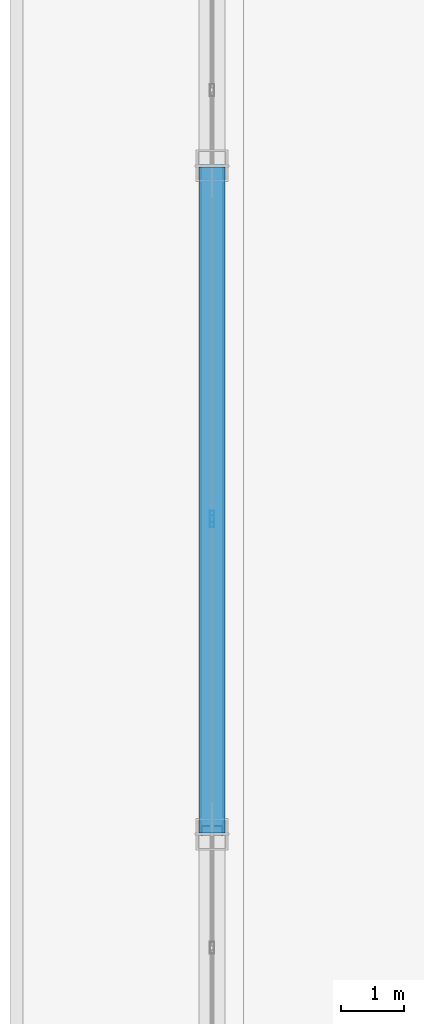
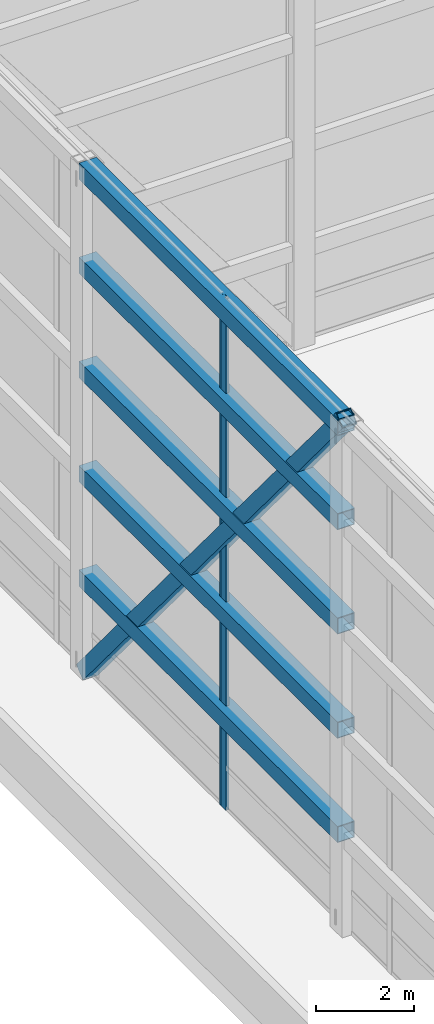
# One storey, part 7 of 23: 5 beams, 3 members, 2 elements without a shape of their own.
"""IFC4 building model written with IfcOpenShell, lengths in metres."""

from ifc_helpers import new_model, si_unit, direction, frame, origin, origin_2d, place, context, subcontext, project, spatial, hollow_rectangle, extrude, source, transform, mapped, material, layer, layer_set, material_profile, profile_set, type_object, type_shapes, element, aggregate, save


model = new_model("IFC4")

# Units and contexts
model_context = context("Model", 3, precision=1e-05, world=origin(), true_north=direction((0.0, 1.0)))
body_context = subcontext(model_context, "Body", "Model", "MODEL_VIEW")
ifc_project = project(units=[si_unit("LENGTHUNIT", "METRE"), si_unit("AREAUNIT", "SQUARE_METRE"), si_unit("VOLUMEUNIT", "CUBIC_METRE"), si_unit("PLANEANGLEUNIT", "RADIAN"), si_unit("MASSUNIT", "GRAM", prefix="KILO")], contexts=[model_context])

# Site, building, storey
site_placement = place(None, origin())
site = spatial("IfcSite", under=ifc_project, at=site_placement, CompositionType="ELEMENT")
building_placement = place(site_placement, origin())
building = spatial("IfcBuilding", under=site, at=building_placement, Name="Varnel Quay Broadcast Tower", CompositionType="ELEMENT")
storey_placement = place(building_placement, frame((0.0, 0.0, 319.800048828125)))
storey = spatial("IfcBuildingStorey", under=building, at=storey_placement, Name="Roof", CompositionType="ELEMENT", Elevation=319.800048828125)

# Beams
ifc_material_1 = material(Name="Structural Steel CSA G40.21 350WT", Category="steel")
ifc_material_profile_1 = material_profile(ifc_material_1, hollow_rectangle(XDim=0.406005859375, YDim=0.406005859375, WallThickness=0.01611328125, at=origin_2d()), Name="HSS406X406X16")
ifc_profile_set_1 = profile_set([ifc_material_profile_1], Name="Structural Steel CSA G40.21 350WT")
beam_type = type_object("IfcBeamType", Name="CrownRingBeam_HSS406", PredefinedType="BEAM", material=ifc_profile_set_1)
shared_shape_1 = source(origin(), body_context, "Body", "SweptSolid", [
    extrude(hollow_rectangle(XDim=0.406005859375, YDim=0.406005859375, WallThickness=0.01611328125, at=origin_2d()), origin(), (0.0, 0.0, 1.0), 10.56005859375),
])
type_shapes(beam_type, [shared_shape_1])
for number, where, z_axis, x_axis, name in (
    (1, (15.199951171875, 35.580078125, 2.39697265625), (0.0, -1.0, 0.0), (1.0, 0.0, 0.0), "CROWN FRAME Ring Tier 1 Beam 13"),
    (2, (15.199951171875, 35.580078125, 4.9970703125), (0.0, -1.0, 0.0), (1.0, 0.0, 0.0), "CROWN FRAME Ring Tier 2 Beam 13"),
    (3, (15.199951171875, 35.580078125, 7.596923828125), (0.0, -1.0, 0.0), (1.0, 0.0, 0.0), "CROWN FRAME Ring Tier 3 Beam 13"),
    (4, (15.199951171875, 35.580078125, 10.197021484375), (0.0, -1.0, 0.0), (1.0, 0.0, 0.0), "CROWN FRAME Ring Tier 4 Beam 13"),
    (5, (15.199951171875, 35.580078125, 12.546875), (0.0, -1.0, 0.0), (1.0, 0.0, 0.0), "CROWN FRAME Ring Tier 5 Beam 13"),
):
    element("IfcBeam", number, at=place(storey_placement, frame(where, z_axis=z_axis, x_axis=x_axis)), inside=storey, type_object=beam_type, Name=name, PredefinedType="BEAM", context=body_context, shape_type="MappedRepresentation", body=[
        mapped(shared_shape_1, transform((0.0, 0.0, 0.0), x_axis=(1.0, 0.0, 0.0), y_axis=(0.0, 1.0, 0.0), z_axis=(0.0, 0.0, 1.0), scale=1.0)),
    ])

# Member
ifc_material_2 = material(Name="Structural Steel CSA G40.21 350W", Category="steel")
ifc_material_profile_2 = material_profile(ifc_material_2, hollow_rectangle(XDim=0.35595703125, YDim=0.35595703125, WallThickness=0.01611328125, at=origin_2d()), Name="HSS356X356X16")
ifc_profile_set_2 = profile_set([ifc_material_profile_2], Name="Structural Steel CSA G40.21 350W")
member_type_1 = type_object("IfcMemberType", Name="CrownRingBrace_HSS356", PredefinedType="BRACE", material=ifc_profile_set_2)
shared_shape_2 = source(origin(), body_context, "Body", "SweptSolid", [
    extrude(hollow_rectangle(XDim=0.35595703125, YDim=0.35595703125, WallThickness=0.01611328125, at=origin_2d()), origin(), (0.0, 0.0, 1.0), 16.550048828125),
])
type_shapes(member_type_1, [shared_shape_2])
member_1_placement = place(storey_placement, frame((15.199951171875, 35.60009765625, 0.02001953125), z_axis=(0.0, -0.640486154046, 0.76796971716), x_axis=(1.0, 0.0, 0.0)))
element("IfcMember", 6, at=member_1_placement, inside=storey, type_object=member_type_1, Name="CROWN FRAME Ring Brace 13", PredefinedType="BRACE", context=body_context, shape_type="MappedRepresentation", body=[
    mapped(shared_shape_2, transform((0.0, 0.0, 0.0), x_axis=(1.0, 0.0, 0.0), y_axis=(0.0, 1.0, 0.0), z_axis=(0.0, 0.0, 1.0), scale=1.0)),
])

# Curtain wall, member
ifc_material_3 = material(Name="Anodised Bronze Aluminium 6063-T6", Category="aluminium")
ifc_layer = layer(ifc_material_3, 0.18994140625, Name="Anodised Bronze Aluminium 6063-T6")
ifc_layer_set = layer_set([ifc_layer], Name="Anodised Bronze Aluminium 6063-T6")
curtain_wall_type = type_object("IfcCurtainWallType", Name="CW_CrownScreen", PredefinedType="NOTDEFINED", material=ifc_layer_set)
curtain_wall_1_placement = place(storey_placement, origin())
curtain_wall_1 = element("IfcCurtainWall", 7, at=curtain_wall_1_placement, inside=storey, type_object=curtain_wall_type, Name="Ring Crown Bronze Glazed Louvre Screen W1", PredefinedType="NOTDEFINED")
ifc_material_profile_3 = material_profile(ifc_material_3, hollow_rectangle(XDim=0.070068359375, YDim=0.18994140625, WallThickness=0.00390625, at=origin_2d()), Name="ALU70X190X4")
ifc_profile_set_3 = profile_set([ifc_material_profile_3], Name="Anodised Bronze Aluminium 6063-T6")
member_type_2 = type_object("IfcMemberType", Name="Mull_CWS-06", PredefinedType="MULLION", material=ifc_profile_set_3)
shared_shape_3 = source(origin(), body_context, "Body", "SweptSolid", [
    extrude(hollow_rectangle(XDim=0.070068359375, YDim=0.18994140625, WallThickness=0.00390625, at=origin_2d()), origin(), (0.0, 0.0, 1.0), 12.75),
])
type_shapes(member_type_2, [shared_shape_3])
member_2_placement = place(storey_placement, frame((15.199951171875, 30.034912109375, 0.0), z_axis=(0.0, 0.0, 1.0), x_axis=(1.0, 0.0, 0.0)))
member_2 = element("IfcMember", 8, at=member_2_placement, type_object=member_type_2, Name="CWS-06 mullion 3", PredefinedType="MULLION", context=body_context, shape_type="MappedRepresentation", body=[
    mapped(shared_shape_3, transform((0.0, 0.0, 0.0), x_axis=(1.0, 0.0, 0.0), y_axis=(0.0, 1.0, 0.0), z_axis=(0.0, 0.0, 1.0), scale=1.0)),
])
aggregate(curtain_wall_1, [member_2])

curtain_wall_2_placement = place(storey_placement, origin())
curtain_wall_2 = element("IfcCurtainWall", 9, at=curtain_wall_2_placement, inside=storey, type_object=curtain_wall_type, Name="Ring Crown Bronze Glazed Louvre Screen W2", PredefinedType="NOTDEFINED")
member_3_placement = place(storey_placement, frame((15.199951171875, 29.965087890625, 0.0), z_axis=(0.0, 0.0, 1.0), x_axis=(1.0, 0.0, 0.0)))
member_3 = element("IfcMember", 10, at=member_3_placement, type_object=member_type_2, Name="CWS-06 mullion 1", PredefinedType="MULLION", context=body_context, shape_type="MappedRepresentation", body=[
    mapped(shared_shape_3, transform((0.0, 0.0, 0.0), x_axis=(1.0, 0.0, 0.0), y_axis=(0.0, 1.0, 0.0), z_axis=(0.0, 0.0, 1.0), scale=1.0)),
])
aggregate(curtain_wall_2, [member_3])

save(model, "model.ifc")
